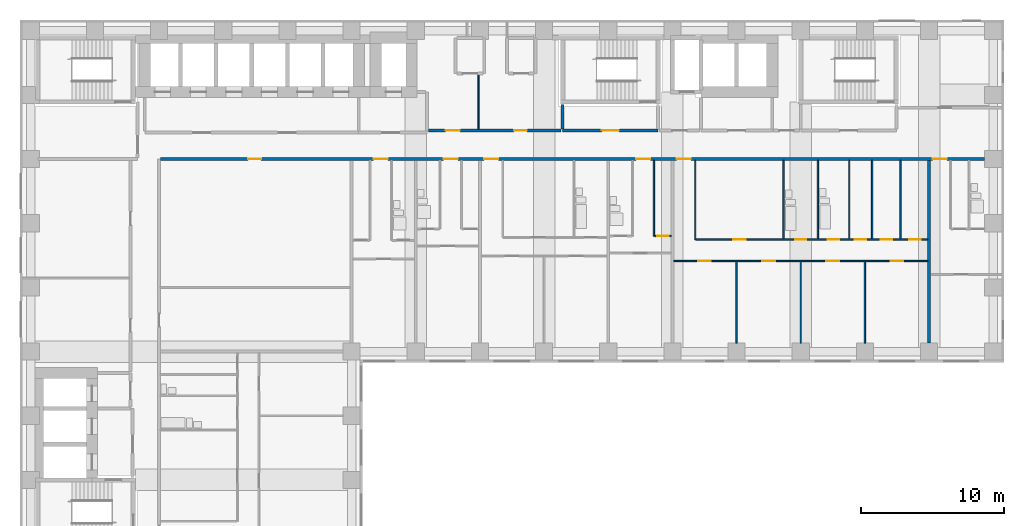
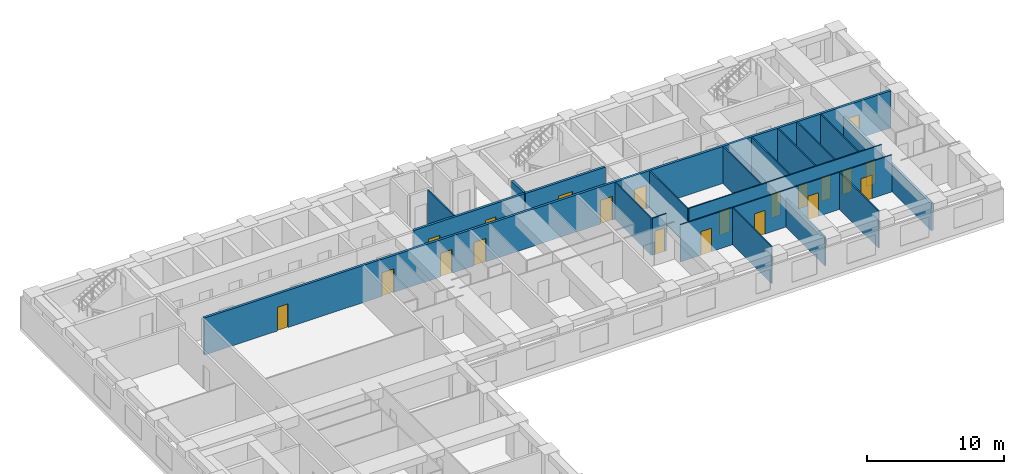
# One storey, part 7 of 12: 21 doors, 19 walls, 21 openings.
"""IFC4 building model written with IfcOpenShell, lengths in metres."""

from ifc_helpers import new_model, si_unit, direction, frame, frame_2d, origin, place, context, subcontext, project, spatial, rectangle, extrude, material, layer, layer_set, type_object, element, fill, save


model = new_model("IFC4")

# Units and contexts
model_context = context("Model", 3, precision=1e-05, world=origin(), true_north=direction((0.0, 1.0)))
body_context = subcontext(model_context, "Body", "Model", "MODEL_VIEW")
ifc_project = project(units=[si_unit("LENGTHUNIT", "METRE"), si_unit("AREAUNIT", "SQUARE_METRE"), si_unit("VOLUMEUNIT", "CUBIC_METRE"), si_unit("PLANEANGLEUNIT", "RADIAN"), si_unit("MASSUNIT", "GRAM", prefix="KILO")], contexts=[model_context])

# Site, building, storey
site_placement = place(None, origin())
site = spatial("IfcSite", under=ifc_project, at=site_placement, CompositionType="ELEMENT")
building_placement = place(site_placement, origin())
building = spatial("IfcBuilding", under=site, at=building_placement, Name="Firuza Court", CompositionType="ELEMENT")
storey_placement = place(building_placement, frame((0.0, 0.0, 43.39990234375)))
storey = spatial("IfcBuildingStorey", under=building, at=storey_placement, Name="L09", CompositionType="ELEMENT", Elevation=43.39990234375)

# Walls
ifc_material_1 = material(Name="Moisture-resistant gypsum board partition")
ifc_layer_1 = layer(ifc_material_1, 0.10009765625)
ifc_layer_set_1 = layer_set([ifc_layer_1], Name="Moisture-resistant gypsum board partition")
wall_type_1 = type_object("IfcWallType", Name="Bathroom partition 100", PredefinedType="PLUMBINGWALL", material=ifc_layer_set_1)
for number, where, z_axis, x_axis, name in (
    (1, (52.800048828125, 43.89990234375, 0.0), (0.0, 0.0, 1.0), (0.0, 1.0, 0.0), "Bathroom partition 100 L09"),
    (2, (55.199951171875, 43.89990234375, 0.0), (0.0, 0.0, 1.0), (0.0, 1.0, 0.0), "Bathroom partition 100 L09"),
    (3, (57.39990234375, 43.89990234375, 0.0), (0.0, 0.0, 1.0), (0.0, 1.0, 0.0), "Bathroom partition 100 L09"),
):
    element("IfcWall", number, at=place(storey_placement, frame(where, z_axis=z_axis, x_axis=x_axis)), inside=storey, type_object=wall_type_1, Name=name, PredefinedType="PLUMBINGWALL", context=body_context, shape_type="SweptSolid", body=[
        extrude(rectangle(XDim=5.5, YDim=0.10009765625, at=frame_2d((2.75, 0.0))), origin(), (0.0, 0.0, 1.0), 3.300048828125),
    ])

# Wall, openings, doors
ifc_material_2 = material(Name="Blockwork, plastered both sides", Category="masonry")
ifc_layer_2 = layer(ifc_material_2, 0.199951171875)
ifc_layer_set_2 = layer_set([ifc_layer_2], Name="Blockwork, plastered both sides")
wall_type_2 = type_object("IfcWallType", Name="Corridor wall 200", PredefinedType="PARTITIONING", material=ifc_layer_set_2)
wall_1_placement = place(storey_placement, frame((9.10009765625, 49.5, 0.0), z_axis=(0.0, 0.0, 1.0), x_axis=(1.0, 0.0, 0.0)))
wall_1 = element("IfcWall", 4, at=wall_1_placement, inside=storey, type_object=wall_type_2, Name="Corridor wall 200 L09", PredefinedType="PARTITIONING", context=body_context, shape_type="SweptSolid", body=[
    extrude(rectangle(XDim=57.7998046875, YDim=0.199951171875, at=frame_2d((28.89990234375, 0.0))), origin(), (0.0, 0.0, 1.0), 3.300048828125),
])
opening_1_placement = place(wall_1_placement, frame((14.949951171875, 0.0, 0.0)))
opening_1 = element("IfcOpeningElement", 5, at=opening_1_placement, cuts=wall_1, Name="Opening D09069", PredefinedType="OPENING", context=body_context, shape_type="SweptSolid", body=[
    extrude(rectangle(XDim=1.0, YDim=2.10009765625, at=frame_2d((0.5, 1.050048828125))), frame((0.0, 0.11181640625, 0.0), z_axis=(0.0, -1.0, 0.0), x_axis=(1.0, 0.0, 0.0)), (0.0, 0.0, 1.0), 0.223876953125),
])
opening_2_placement = place(wall_1_placement, frame((19.85009765625, 0.0, 0.0)))
opening_2 = element("IfcOpeningElement", 6, at=opening_2_placement, cuts=wall_1, Name="Opening D09070", PredefinedType="OPENING", context=body_context, shape_type="SweptSolid", body=[
    extrude(rectangle(XDim=1.0, YDim=2.10009765625, at=frame_2d((0.5, 1.050048828125))), frame((0.0, 0.11181640625, 0.0), z_axis=(0.0, -1.0, 0.0), x_axis=(1.0, 0.0, 0.0)), (0.0, 0.0, 1.0), 0.223876953125),
])
opening_3_placement = place(wall_1_placement, frame((22.699951171875, 0.0, 0.0)))
opening_3 = element("IfcOpeningElement", 7, at=opening_3_placement, cuts=wall_1, Name="Opening D09071", PredefinedType="OPENING", context=body_context, shape_type="SweptSolid", body=[
    extrude(rectangle(XDim=1.0, YDim=2.10009765625, at=frame_2d((0.5, 1.050048828125))), frame((0.0, 0.11181640625, 0.0), z_axis=(0.0, -1.0, 0.0), x_axis=(1.0, 0.0, 0.0)), (0.0, 0.0, 1.0), 0.223876953125),
])
opening_4_placement = place(wall_1_placement, frame((33.35009765625, 0.0, 0.0)))
opening_4 = element("IfcOpeningElement", 8, at=opening_4_placement, cuts=wall_1, Name="Opening D09072", PredefinedType="OPENING", context=body_context, shape_type="SweptSolid", body=[
    extrude(rectangle(XDim=1.0, YDim=2.10009765625, at=frame_2d((0.5, 1.050048828125))), frame((0.0, 0.11181640625, 0.0), z_axis=(0.0, -1.0, 0.0), x_axis=(1.0, 0.0, 0.0)), (0.0, 0.0, 1.0), 0.223876953125),
])
opening_5_placement = place(wall_1_placement, frame((36.199951171875, 0.0, 0.0)))
opening_5 = element("IfcOpeningElement", 9, at=opening_5_placement, cuts=wall_1, Name="Opening D09073", PredefinedType="OPENING", context=body_context, shape_type="SweptSolid", body=[
    extrude(rectangle(XDim=1.0, YDim=2.10009765625, at=frame_2d((0.5, 1.050048828125))), frame((0.0, 0.11181640625, 0.0), z_axis=(0.0, -1.0, 0.0), x_axis=(1.0, 0.0, 0.0)), (0.0, 0.0, 1.0), 0.223876953125),
])
opening_6_placement = place(wall_1_placement, frame((54.14990234375, 0.0, 0.0)))
opening_6 = element("IfcOpeningElement", 10, at=opening_6_placement, cuts=wall_1, Name="Opening D09074", PredefinedType="OPENING", context=body_context, shape_type="SweptSolid", body=[
    extrude(rectangle(XDim=1.0, YDim=2.10009765625, at=frame_2d((0.5, 1.050048828125))), frame((0.0, 0.11181640625, 0.0), z_axis=(0.0, -1.0, 0.0), x_axis=(1.0, 0.0, 0.0)), (0.0, 0.0, 1.0), 0.223876953125),
])
opening_7_placement = place(wall_1_placement, frame((6.14990234375, 0.0, 0.0)))
opening_7 = element("IfcOpeningElement", 11, at=opening_7_placement, cuts=wall_1, Name="Opening D09075", PredefinedType="OPENING", context=body_context, shape_type="SweptSolid", body=[
    extrude(rectangle(XDim=0.89990234375, YDim=2.10009765625, at=frame_2d((0.449951171875, 1.050048828125))), frame((0.0, 0.11181640625, 0.0), z_axis=(0.0, -1.0, 0.0), x_axis=(1.0, 0.0, 0.0)), (0.0, 0.0, 1.0), 0.223876953125),
])
ifc_material_3 = material(Name="Timber door leaf in hardwood frame", Category="wood")
door_type_1 = type_object("IfcDoorType", Name="Flat entrance door 1000", OperationType="SINGLE_SWING_LEFT", PredefinedType="DOOR", material=ifc_material_3)
door_1_placement = place(opening_1_placement, origin())
door_1 = element("IfcDoor", 12, at=door_1_placement, inside=storey, type_object=door_type_1, Name="Flat entrance door", OperationType="SINGLE_SWING_LEFT", OverallHeight=2.10009765625, OverallWidth=1.0, PredefinedType="DOOR", context=body_context, shape_type="SweptSolid", body=[
    extrude(rectangle(XDim=1.0, YDim=2.10009765625, at=frame_2d((0.5, 1.050048828125))), frame((0.0, 0.02490234375, 0.0), z_axis=(0.0, -1.0, 0.0), x_axis=(1.0, 0.0, 0.0)), (0.0, 0.0, 1.0), 0.050048828125),
])
fill(opening_1, door_1)
door_2_placement = place(opening_2_placement, origin())
door_2 = element("IfcDoor", 13, at=door_2_placement, inside=storey, type_object=door_type_1, Name="Flat entrance door", OperationType="SINGLE_SWING_LEFT", OverallHeight=2.10009765625, OverallWidth=1.0, PredefinedType="DOOR", context=body_context, shape_type="SweptSolid", body=[
    extrude(rectangle(XDim=1.0, YDim=2.10009765625, at=frame_2d((0.5, 1.050048828125))), frame((0.0, 0.02490234375, 0.0), z_axis=(0.0, -1.0, 0.0), x_axis=(1.0, 0.0, 0.0)), (0.0, 0.0, 1.0), 0.050048828125),
])
fill(opening_2, door_2)
door_3_placement = place(opening_3_placement, origin())
door_3 = element("IfcDoor", 14, at=door_3_placement, inside=storey, type_object=door_type_1, Name="Flat entrance door", OperationType="SINGLE_SWING_LEFT", OverallHeight=2.10009765625, OverallWidth=1.0, PredefinedType="DOOR", context=body_context, shape_type="SweptSolid", body=[
    extrude(rectangle(XDim=1.0, YDim=2.10009765625, at=frame_2d((0.5, 1.050048828125))), frame((0.0, 0.02490234375, 0.0), z_axis=(0.0, -1.0, 0.0), x_axis=(1.0, 0.0, 0.0)), (0.0, 0.0, 1.0), 0.050048828125),
])
fill(opening_3, door_3)
door_4_placement = place(opening_4_placement, origin())
door_4 = element("IfcDoor", 15, at=door_4_placement, inside=storey, type_object=door_type_1, Name="Flat entrance door", OperationType="SINGLE_SWING_LEFT", OverallHeight=2.10009765625, OverallWidth=1.0, PredefinedType="DOOR", context=body_context, shape_type="SweptSolid", body=[
    extrude(rectangle(XDim=1.0, YDim=2.10009765625, at=frame_2d((0.5, 1.050048828125))), frame((0.0, 0.02490234375, 0.0), z_axis=(0.0, -1.0, 0.0), x_axis=(1.0, 0.0, 0.0)), (0.0, 0.0, 1.0), 0.050048828125),
])
fill(opening_4, door_4)
door_5_placement = place(opening_5_placement, origin())
door_5 = element("IfcDoor", 16, at=door_5_placement, inside=storey, type_object=door_type_1, Name="Flat entrance door", OperationType="SINGLE_SWING_LEFT", OverallHeight=2.10009765625, OverallWidth=1.0, PredefinedType="DOOR", context=body_context, shape_type="SweptSolid", body=[
    extrude(rectangle(XDim=1.0, YDim=2.10009765625, at=frame_2d((0.5, 1.050048828125))), frame((0.0, 0.02490234375, 0.0), z_axis=(0.0, -1.0, 0.0), x_axis=(1.0, 0.0, 0.0)), (0.0, 0.0, 1.0), 0.050048828125),
])
fill(opening_5, door_5)
door_6_placement = place(opening_6_placement, origin())
door_6 = element("IfcDoor", 17, at=door_6_placement, inside=storey, type_object=door_type_1, Name="Flat entrance door", OperationType="SINGLE_SWING_RIGHT", OverallHeight=2.10009765625, OverallWidth=1.0, PredefinedType="DOOR", context=body_context, shape_type="SweptSolid", body=[
    extrude(rectangle(XDim=1.0, YDim=2.10009765625, at=frame_2d((0.5, 1.050048828125))), frame((0.0, 0.02490234375, 0.0), z_axis=(0.0, -1.0, 0.0), x_axis=(1.0, 0.0, 0.0)), (0.0, 0.0, 1.0), 0.050048828125),
])
fill(opening_6, door_6)
ifc_material_4 = material(Name="Timber door leaf in hardwood frame", Category="wood")
door_type_2 = type_object("IfcDoorType", Name="Room door 900 EI 30", OperationType="SINGLE_SWING_LEFT", PredefinedType="DOOR", material=ifc_material_4)
door_7_placement = place(opening_7_placement, origin())
door_7 = element("IfcDoor", 18, at=door_7_placement, inside=storey, type_object=door_type_2, Name="Cinema room door", OperationType="SINGLE_SWING_LEFT", OverallHeight=2.10009765625, OverallWidth=0.89990234375, PredefinedType="DOOR", context=body_context, shape_type="SweptSolid", body=[
    extrude(rectangle(XDim=0.89990234375, YDim=2.10009765625, at=frame_2d((0.449951171875, 1.050048828125))), frame((0.0, 0.02490234375, 0.0), z_axis=(0.0, -1.0, 0.0), x_axis=(1.0, 0.0, 0.0)), (0.0, 0.0, 1.0), 0.050048828125),
])
fill(opening_7, door_7)

wall_2_placement = place(storey_placement, frame((27.89990234375, 51.5, 0.0), z_axis=(0.0, 0.0, 1.0), x_axis=(1.0, 0.0, 0.0)))
wall_2 = element("IfcWall", 19, at=wall_2_placement, inside=storey, type_object=wall_type_2, Name="Corridor wall 200 L09", PredefinedType="PARTITIONING", context=body_context, shape_type="SweptSolid", body=[
    extrude(rectangle(XDim=9.300048828125, YDim=0.199951171875, at=frame_2d((4.64990234375, 0.0))), origin(), (0.0, 0.0, 1.0), 3.300048828125),
])
opening_8_placement = place(wall_2_placement, frame((1.199951171875, 0.0, 0.0)))
opening_8 = element("IfcOpeningElement", 20, at=opening_8_placement, cuts=wall_2, Name="Opening D09076", PredefinedType="OPENING", context=body_context, shape_type="SweptSolid", body=[
    extrude(rectangle(XDim=1.0, YDim=2.10009765625, at=frame_2d((0.5, 1.050048828125))), frame((0.0, 0.11181640625, 0.0), z_axis=(0.0, -1.0, 0.0), x_axis=(1.0, 0.0, 0.0)), (0.0, 0.0, 1.0), 0.223876953125),
])
opening_9_placement = place(wall_2_placement, frame((6.0, 0.0, 0.0)))
opening_9 = element("IfcOpeningElement", 21, at=opening_9_placement, cuts=wall_2, Name="Opening D09077", PredefinedType="OPENING", context=body_context, shape_type="SweptSolid", body=[
    extrude(rectangle(XDim=0.89990234375, YDim=2.10009765625, at=frame_2d((0.449951171875, 1.050048828125))), frame((0.0, 0.11181640625, 0.0), z_axis=(0.0, -1.0, 0.0), x_axis=(1.0, 0.0, 0.0)), (0.0, 0.0, 1.0), 0.223876953125),
])
door_8_placement = place(opening_9_placement, origin())
door_8 = element("IfcDoor", 22, at=door_8_placement, inside=storey, type_object=door_type_2, Name="Concierge room door", OperationType="SINGLE_SWING_LEFT", OverallHeight=2.10009765625, OverallWidth=0.89990234375, PredefinedType="DOOR", context=body_context, shape_type="SweptSolid", body=[
    extrude(rectangle(XDim=0.89990234375, YDim=2.10009765625, at=frame_2d((0.449951171875, 1.050048828125))), frame((0.0, 0.02490234375, 0.0), z_axis=(0.0, -1.0, 0.0), x_axis=(1.0, 0.0, 0.0)), (0.0, 0.0, 1.0), 0.050048828125),
])
fill(opening_9, door_8)
ifc_material_5 = material(Name="Timber door leaf in hardwood frame", Category="wood")
door_type_3 = type_object("IfcDoorType", Name="Store door 1000", OperationType="SINGLE_SWING_LEFT", PredefinedType="DOOR", material=ifc_material_5)
door_9_placement = place(opening_8_placement, origin())
door_9 = element("IfcDoor", 23, at=door_9_placement, inside=storey, type_object=door_type_3, Name="Cleaner's store door", OperationType="SINGLE_SWING_LEFT", OverallHeight=2.10009765625, OverallWidth=1.0, PredefinedType="DOOR", context=body_context, shape_type="SweptSolid", body=[
    extrude(rectangle(XDim=1.0, YDim=2.10009765625, at=frame_2d((0.5, 1.050048828125))), frame((0.0, 0.02490234375, 0.0), z_axis=(0.0, -1.0, 0.0), x_axis=(1.0, 0.0, 0.0)), (0.0, 0.0, 1.0), 0.050048828125),
])
fill(opening_8, door_9)

# Walls
ifc_material_6 = material(Name="Timber stud partition, plasterboard both sides", Category="wood")
ifc_layer_3 = layer(ifc_material_6, 0.10009765625)
ifc_layer_set_3 = layer_set([ifc_layer_3], Name="Timber stud partition, plasterboard both sides")
wall_type_3 = type_object("IfcWallType", Name="Partition wall 100", PredefinedType="PARTITIONING", material=ifc_layer_set_3)
wall_3_placement = place(storey_placement, frame((49.5, 36.60009765625, 0.0), z_axis=(0.0, 0.0, 1.0), x_axis=(0.0, 1.0, 0.0)))
element("IfcWall", 24, at=wall_3_placement, inside=storey, type_object=wall_type_3, Name="Partition wall 100 L09", PredefinedType="PARTITIONING", context=body_context, shape_type="SweptSolid", body=[
    extrude(rectangle(XDim=5.699951171875, YDim=0.10009765625, at=frame_2d((2.85009765625, 0.0))), origin(), (0.0, 0.0, 1.0), 3.300048828125),
])
wall_4_placement = place(storey_placement, frame((54.0, 36.60009765625, 0.0), z_axis=(0.0, 0.0, 1.0), x_axis=(0.0, 1.0, 0.0)))
element("IfcWall", 25, at=wall_4_placement, inside=storey, type_object=wall_type_3, Name="Partition wall 100 L09", PredefinedType="PARTITIONING", context=body_context, shape_type="SweptSolid", body=[
    extrude(rectangle(XDim=5.699951171875, YDim=0.10009765625, at=frame_2d((2.85009765625, 0.0))), origin(), (0.0, 0.0, 1.0), 2.60009765625),
])
wall_5_placement = place(storey_placement, frame((58.5, 36.60009765625, 0.0), z_axis=(0.0, 0.0, 1.0), x_axis=(0.0, 1.0, 0.0)))
element("IfcWall", 26, at=wall_5_placement, inside=storey, type_object=wall_type_3, Name="Partition wall 100 L09", PredefinedType="PARTITIONING", context=body_context, shape_type="SweptSolid", body=[
    extrude(rectangle(XDim=5.699951171875, YDim=0.10009765625, at=frame_2d((2.85009765625, 0.0))), origin(), (0.0, 0.0, 1.0), 3.300048828125),
])

# Wall, openings, doors
wall_6_placement = place(storey_placement, frame((45.10009765625, 42.35009765625, 0.0), z_axis=(0.0, 0.0, 1.0), x_axis=(1.0, 0.0, 0.0)))
wall_6 = element("IfcWall", 27, at=wall_6_placement, inside=storey, type_object=wall_type_3, Name="Partition wall 100 L09", PredefinedType="PARTITIONING", context=body_context, shape_type="SweptSolid", body=[
    extrude(rectangle(XDim=17.7998046875, YDim=0.10009765625, at=frame_2d((8.89990234375, 0.0))), origin(), (0.0, 0.0, 1.0), 3.300048828125),
])
opening_10_placement = place(wall_6_placement, frame((1.699951171875, 0.0, 0.0)))
opening_10 = element("IfcOpeningElement", 28, at=opening_10_placement, cuts=wall_6, Name="Opening D09044", PredefinedType="OPENING", context=body_context, shape_type="SweptSolid", body=[
    extrude(rectangle(XDim=0.89990234375, YDim=2.10009765625, at=frame_2d((0.449951171875, 1.050048828125))), frame((0.0, 0.06201171875, 0.0), z_axis=(0.0, -1.0, 0.0), x_axis=(1.0, 0.0, 0.0)), (0.0, 0.0, 1.0), 0.1240234375),
])
opening_11_placement = place(wall_6_placement, frame((6.199951171875, 0.0, 0.0)))
opening_11 = element("IfcOpeningElement", 29, at=opening_11_placement, cuts=wall_6, Name="Opening D09045", PredefinedType="OPENING", context=body_context, shape_type="SweptSolid", body=[
    extrude(rectangle(XDim=0.89990234375, YDim=2.10009765625, at=frame_2d((0.449951171875, 1.050048828125))), frame((0.0, 0.06201171875, 0.0), z_axis=(0.0, -1.0, 0.0), x_axis=(1.0, 0.0, 0.0)), (0.0, 0.0, 1.0), 0.1240234375),
])
opening_12_placement = place(wall_6_placement, frame((10.699951171875, 0.0, 0.0)))
opening_12 = element("IfcOpeningElement", 30, at=opening_12_placement, cuts=wall_6, Name="Opening D09046", PredefinedType="OPENING", context=body_context, shape_type="SweptSolid", body=[
    extrude(rectangle(XDim=0.89990234375, YDim=2.10009765625, at=frame_2d((0.449951171875, 1.050048828125))), frame((0.0, 0.06201171875, 0.0), z_axis=(0.0, -1.0, 0.0), x_axis=(1.0, 0.0, 0.0)), (0.0, 0.0, 1.0), 0.1240234375),
])
opening_13_placement = place(wall_6_placement, frame((15.199951171875, 0.0, 0.0)))
opening_13 = element("IfcOpeningElement", 31, at=opening_13_placement, cuts=wall_6, Name="Opening D09047", PredefinedType="OPENING", context=body_context, shape_type="SweptSolid", body=[
    extrude(rectangle(XDim=0.89990234375, YDim=2.10009765625, at=frame_2d((0.449951171875, 1.050048828125))), frame((0.0, 0.06201171875, 0.0), z_axis=(0.0, -1.0, 0.0), x_axis=(1.0, 0.0, 0.0)), (0.0, 0.0, 1.0), 0.1240234375),
])
ifc_material_7 = material(Name="Timber door leaf in hardwood frame", Category="wood")
door_type_4 = type_object("IfcDoorType", Name="Room door 900", OperationType="SINGLE_SWING_LEFT", PredefinedType="DOOR", material=ifc_material_7)
door_10_placement = place(opening_10_placement, frame((0.89990234375, 0.0, 0.0), z_axis=(0.0, 0.0, 1.0), x_axis=(-1.0, 0.0, 0.0)))
door_10 = element("IfcDoor", 32, at=door_10_placement, inside=storey, type_object=door_type_4, Name="Living room door", OperationType="SINGLE_SWING_RIGHT", OverallHeight=2.10009765625, OverallWidth=0.89990234375, PredefinedType="DOOR", context=body_context, shape_type="SweptSolid", body=[
    extrude(rectangle(XDim=0.89990234375, YDim=2.10009765625, at=frame_2d((0.449951171875, 1.050048828125))), frame((0.0, 0.02490234375, 0.0), z_axis=(0.0, -1.0, 0.0), x_axis=(1.0, 0.0, 0.0)), (0.0, 0.0, 1.0), 0.050048828125),
])
fill(opening_10, door_10)
door_11_placement = place(opening_11_placement, frame((0.89990234375, 0.0, 0.0), z_axis=(0.0, 0.0, 1.0), x_axis=(-1.0, 0.0, 0.0)))
door_11 = element("IfcDoor", 33, at=door_11_placement, inside=storey, type_object=door_type_4, Name="Bedroom door", OperationType="SINGLE_SWING_RIGHT", OverallHeight=2.10009765625, OverallWidth=0.89990234375, PredefinedType="DOOR", context=body_context, shape_type="SweptSolid", body=[
    extrude(rectangle(XDim=0.89990234375, YDim=2.10009765625, at=frame_2d((0.449951171875, 1.050048828125))), frame((0.0, 0.02490234375, 0.0), z_axis=(0.0, -1.0, 0.0), x_axis=(1.0, 0.0, 0.0)), (0.0, 0.0, 1.0), 0.050048828125),
])
fill(opening_11, door_11)
door_12_placement = place(opening_12_placement, frame((0.89990234375, 0.0, 0.0), z_axis=(0.0, 0.0, 1.0), x_axis=(-1.0, 0.0, 0.0)))
door_12 = element("IfcDoor", 34, at=door_12_placement, inside=storey, type_object=door_type_4, Name="Bedroom door", OperationType="SINGLE_SWING_RIGHT", OverallHeight=2.10009765625, OverallWidth=0.89990234375, PredefinedType="DOOR", context=body_context, shape_type="SweptSolid", body=[
    extrude(rectangle(XDim=0.89990234375, YDim=2.10009765625, at=frame_2d((0.449951171875, 1.050048828125))), frame((0.0, 0.02490234375, 0.0), z_axis=(0.0, -1.0, 0.0), x_axis=(1.0, 0.0, 0.0)), (0.0, 0.0, 1.0), 0.050048828125),
])
fill(opening_12, door_12)
door_13_placement = place(opening_13_placement, frame((0.89990234375, 0.0, 0.0), z_axis=(0.0, 0.0, 1.0), x_axis=(-1.0, 0.0, 0.0)))
door_13 = element("IfcDoor", 35, at=door_13_placement, inside=storey, type_object=door_type_4, Name="Bedroom door", OperationType="SINGLE_SWING_RIGHT", OverallHeight=2.10009765625, OverallWidth=0.89990234375, PredefinedType="DOOR", context=body_context, shape_type="SweptSolid", body=[
    extrude(rectangle(XDim=0.89990234375, YDim=2.10009765625, at=frame_2d((0.449951171875, 1.050048828125))), frame((0.0, 0.02490234375, 0.0), z_axis=(0.0, -1.0, 0.0), x_axis=(1.0, 0.0, 0.0)), (0.0, 0.0, 1.0), 0.050048828125),
])
fill(opening_13, door_13)

# Wall
wall_7_placement = place(storey_placement, frame((46.60009765625, 43.85009765625, 0.0), z_axis=(0.0, 0.0, 1.0), x_axis=(0.0, 1.0, 0.0)))
element("IfcWall", 36, at=wall_7_placement, inside=storey, type_object=wall_type_3, Name="Partition wall 100 L09", PredefinedType="PARTITIONING", context=body_context, shape_type="SweptSolid", body=[
    extrude(rectangle(XDim=5.5498046875, YDim=0.10009765625, at=frame_2d((2.77490234375, 0.0))), origin(), (0.0, 0.0, 1.0), 3.300048828125),
])

# Wall, openings, doors
wall_8_placement = place(storey_placement, frame((46.64990234375, 43.85009765625, 0.0), z_axis=(0.0, 0.0, 1.0), x_axis=(1.0, 0.0, 0.0)))
wall_8 = element("IfcWall", 37, at=wall_8_placement, inside=storey, type_object=wall_type_3, Name="Partition wall 100 L09", PredefinedType="PARTITIONING", context=body_context, shape_type="SweptSolid", body=[
    extrude(rectangle(XDim=16.25, YDim=0.10009765625, at=frame_2d((8.125, 0.0))), origin(), (0.0, 0.0, 1.0), 3.300048828125),
])
opening_14_placement = place(wall_8_placement, frame((6.949951171875, 0.0, 0.0)))
opening_14 = element("IfcOpeningElement", 38, at=opening_14_placement, cuts=wall_8, Name="Opening D09055", PredefinedType="OPENING", context=body_context, shape_type="SweptSolid", body=[
    extrude(rectangle(XDim=0.800048828125, YDim=2.10009765625, at=frame_2d((0.39990234375, 1.050048828125))), frame((0.0, 0.06201171875, 0.0), z_axis=(0.0, -1.0, 0.0), x_axis=(1.0, 0.0, 0.0)), (0.0, 0.0, 1.0), 0.1240234375),
])
opening_15_placement = place(wall_8_placement, frame((9.25, 0.0, 0.0)))
opening_15 = element("IfcOpeningElement", 39, at=opening_15_placement, cuts=wall_8, Name="Opening D09056", PredefinedType="OPENING", context=body_context, shape_type="SweptSolid", body=[
    extrude(rectangle(XDim=0.800048828125, YDim=2.10009765625, at=frame_2d((0.39990234375, 1.050048828125))), frame((0.0, 0.06201171875, 0.0), z_axis=(0.0, -1.0, 0.0), x_axis=(1.0, 0.0, 0.0)), (0.0, 0.0, 1.0), 0.1240234375),
])
opening_16_placement = place(wall_8_placement, frame((2.60009765625, 0.0, 0.0)))
opening_16 = element("IfcOpeningElement", 40, at=opening_16_placement, cuts=wall_8, Name="Opening D09057", PredefinedType="OPENING", context=body_context, shape_type="SweptSolid", body=[
    extrude(rectangle(XDim=0.89990234375, YDim=2.10009765625, at=frame_2d((0.449951171875, 1.050048828125))), frame((0.0, 0.06201171875, 0.0), z_axis=(0.0, -1.0, 0.0), x_axis=(1.0, 0.0, 0.0)), (0.0, 0.0, 1.0), 0.1240234375),
])
opening_17_placement = place(wall_8_placement, frame((14.949951171875, 0.0, 0.0)))
opening_17 = element("IfcOpeningElement", 41, at=opening_17_placement, cuts=wall_8, Name="Opening D09058", PredefinedType="OPENING", context=body_context, shape_type="SweptSolid", body=[
    extrude(rectangle(XDim=0.800048828125, YDim=2.10009765625, at=frame_2d((0.39990234375, 1.050048828125))), frame((0.0, 0.06201171875, 0.0), z_axis=(0.0, -1.0, 0.0), x_axis=(1.0, 0.0, 0.0)), (0.0, 0.0, 1.0), 0.1240234375),
])
opening_18_placement = place(wall_8_placement, frame((11.14990234375, 0.0, 0.0)))
opening_18 = element("IfcOpeningElement", 42, at=opening_18_placement, cuts=wall_8, Name="Opening D09059", PredefinedType="OPENING", context=body_context, shape_type="SweptSolid", body=[
    extrude(rectangle(XDim=0.800048828125, YDim=2.10009765625, at=frame_2d((0.39990234375, 1.050048828125))), frame((0.0, 0.06201171875, 0.0), z_axis=(0.0, -1.0, 0.0), x_axis=(1.0, 0.0, 0.0)), (0.0, 0.0, 1.0), 0.1240234375),
])
opening_19_placement = place(wall_8_placement, frame((12.949951171875, 0.0, 0.0)))
opening_19 = element("IfcOpeningElement", 43, at=opening_19_placement, cuts=wall_8, Name="Opening D09060", PredefinedType="OPENING", context=body_context, shape_type="SweptSolid", body=[
    extrude(rectangle(XDim=0.800048828125, YDim=2.10009765625, at=frame_2d((0.39990234375, 1.050048828125))), frame((0.0, 0.06201171875, 0.0), z_axis=(0.0, -1.0, 0.0), x_axis=(1.0, 0.0, 0.0)), (0.0, 0.0, 1.0), 0.1240234375),
])
ifc_material_8 = material(Name="Timber door leaf in hardwood frame", Category="wood")
door_type_5 = type_object("IfcDoorType", Name="Bathroom door 800", OperationType="SINGLE_SWING_LEFT", PredefinedType="DOOR", material=ifc_material_8)
door_14_placement = place(opening_14_placement, origin())
door_14 = element("IfcDoor", 44, at=door_14_placement, inside=storey, type_object=door_type_5, Name="Bathroom door", OperationType="SINGLE_SWING_LEFT", OverallHeight=2.10009765625, OverallWidth=0.800048828125, PredefinedType="DOOR", context=body_context, shape_type="SweptSolid", body=[
    extrude(rectangle(XDim=0.800048828125, YDim=2.10009765625, at=frame_2d((0.39990234375, 1.050048828125))), frame((0.0, 0.02490234375, 0.0), z_axis=(0.0, -1.0, 0.0), x_axis=(1.0, 0.0, 0.0)), (0.0, 0.0, 1.0), 0.050048828125),
])
fill(opening_14, door_14)
door_15_placement = place(opening_15_placement, origin())
door_15 = element("IfcDoor", 45, at=door_15_placement, inside=storey, type_object=door_type_5, Name="Bathroom 2 door", OperationType="SINGLE_SWING_LEFT", OverallHeight=2.10009765625, OverallWidth=0.800048828125, PredefinedType="DOOR", context=body_context, shape_type="SweptSolid", body=[
    extrude(rectangle(XDim=0.800048828125, YDim=2.10009765625, at=frame_2d((0.39990234375, 1.050048828125))), frame((0.0, 0.02490234375, 0.0), z_axis=(0.0, -1.0, 0.0), x_axis=(1.0, 0.0, 0.0)), (0.0, 0.0, 1.0), 0.050048828125),
])
fill(opening_15, door_15)
ifc_material_9 = material(Name="Timber door leaf in hardwood frame", Category="wood")
door_type_6 = type_object("IfcDoorType", Name="Room door 800", OperationType="SINGLE_SWING_LEFT", PredefinedType="DOOR", material=ifc_material_9)
door_16_placement = place(opening_17_placement, origin())
door_16 = element("IfcDoor", 46, at=door_16_placement, inside=storey, type_object=door_type_6, Name="Pantry door", OperationType="SINGLE_SWING_LEFT", OverallHeight=2.10009765625, OverallWidth=0.800048828125, PredefinedType="DOOR", context=body_context, shape_type="SweptSolid", body=[
    extrude(rectangle(XDim=0.800048828125, YDim=2.10009765625, at=frame_2d((0.39990234375, 1.050048828125))), frame((0.0, 0.02490234375, 0.0), z_axis=(0.0, -1.0, 0.0), x_axis=(1.0, 0.0, 0.0)), (0.0, 0.0, 1.0), 0.050048828125),
])
fill(opening_17, door_16)
door_17_placement = place(opening_18_placement, origin())
door_17 = element("IfcDoor", 47, at=door_17_placement, inside=storey, type_object=door_type_6, Name="Store door", OperationType="SINGLE_SWING_LEFT", OverallHeight=2.10009765625, OverallWidth=0.800048828125, PredefinedType="DOOR", context=body_context, shape_type="SweptSolid", body=[
    extrude(rectangle(XDim=0.800048828125, YDim=2.10009765625, at=frame_2d((0.39990234375, 1.050048828125))), frame((0.0, 0.02490234375, 0.0), z_axis=(0.0, -1.0, 0.0), x_axis=(1.0, 0.0, 0.0)), (0.0, 0.0, 1.0), 0.050048828125),
])
fill(opening_18, door_17)
door_18_placement = place(opening_19_placement, origin())
door_18 = element("IfcDoor", 48, at=door_18_placement, inside=storey, type_object=door_type_6, Name="Utility room door", OperationType="SINGLE_SWING_LEFT", OverallHeight=2.10009765625, OverallWidth=0.800048828125, PredefinedType="DOOR", context=body_context, shape_type="SweptSolid", body=[
    extrude(rectangle(XDim=0.800048828125, YDim=2.10009765625, at=frame_2d((0.39990234375, 1.050048828125))), frame((0.0, 0.02490234375, 0.0), z_axis=(0.0, -1.0, 0.0), x_axis=(1.0, 0.0, 0.0)), (0.0, 0.0, 1.0), 0.050048828125),
])
fill(opening_19, door_18)
door_19_placement = place(opening_16_placement, origin())
door_19 = element("IfcDoor", 49, at=door_19_placement, inside=storey, type_object=door_type_4, Name="Kitchen door", OperationType="SINGLE_SWING_LEFT", OverallHeight=2.10009765625, OverallWidth=0.89990234375, PredefinedType="DOOR", context=body_context, shape_type="SweptSolid", body=[
    extrude(rectangle(XDim=0.89990234375, YDim=2.10009765625, at=frame_2d((0.449951171875, 1.050048828125))), frame((0.0, 0.02490234375, 0.0), z_axis=(0.0, -1.0, 0.0), x_axis=(1.0, 0.0, 0.0)), (0.0, 0.0, 1.0), 0.050048828125),
])
fill(opening_16, door_19)

# Walls
for number, where, z_axis, x_axis, name in (
    (50, (59.0, 43.89990234375, 0.0), (0.0, 0.0, 1.0), (0.0, 1.0, 0.0), "Partition wall 100 L09"),
    (51, (61.0, 43.89990234375, 0.0), (0.0, 0.0, 1.0), (0.0, 1.0, 0.0), "Partition wall 100 L09"),
):
    element("IfcWall", number, at=place(storey_placement, frame(where, z_axis=z_axis, x_axis=x_axis)), inside=storey, type_object=wall_type_3, Name=name, PredefinedType="PARTITIONING", context=body_context, shape_type="SweptSolid", body=[
        extrude(rectangle(XDim=5.5, YDim=0.10009765625, at=frame_2d((2.75, 0.0))), origin(), (0.0, 0.0, 1.0), 3.300048828125),
    ])
wall_9_placement = place(storey_placement, frame((43.699951171875, 44.10009765625, 0.0), z_axis=(0.0, 0.0, 1.0), x_axis=(0.0, 1.0, 0.0)))
element("IfcWall", 52, at=wall_9_placement, inside=storey, type_object=wall_type_3, Name="Partition wall 100 L09", PredefinedType="PARTITIONING", context=body_context, shape_type="SweptSolid", body=[
    extrude(rectangle(XDim=5.2998046875, YDim=0.10009765625, at=frame_2d((2.64990234375, 0.0))), origin(), (0.0, 0.0, 1.0), 3.300048828125),
])

# Wall, opening, door
wall_10_placement = place(storey_placement, frame((43.75, 44.10009765625, 0.0), z_axis=(0.0, 0.0, 1.0), x_axis=(1.0, 0.0, 0.0)))
wall_10 = element("IfcWall", 53, at=wall_10_placement, inside=storey, type_object=wall_type_3, Name="Partition wall 100 L09", PredefinedType="PARTITIONING", context=body_context, shape_type="SweptSolid", body=[
    extrude(rectangle(XDim=1.14990234375, YDim=0.10009765625, at=frame_2d((0.574951171875, 0.0))), origin(), (0.0, 0.0, 1.0), 3.300048828125),
])
opening_20_placement = place(wall_10_placement, frame((0.199951171875, 0.0, 0.0)))
opening_20 = element("IfcOpeningElement", 54, at=opening_20_placement, cuts=wall_10, Name="Opening D09064", PredefinedType="OPENING", context=body_context, shape_type="SweptSolid", body=[
    extrude(rectangle(XDim=0.800048828125, YDim=2.10009765625, at=frame_2d((0.39990234375, 1.050048828125))), frame((0.0, 0.06201171875, 0.0), z_axis=(0.0, -1.0, 0.0), x_axis=(1.0, 0.0, 0.0)), (0.0, 0.0, 1.0), 0.1240234375),
])
door_20_placement = place(opening_20_placement, origin())
door_20 = element("IfcDoor", 55, at=door_20_placement, inside=storey, type_object=door_type_6, Name="Kitchen door", OperationType="SINGLE_SWING_LEFT", OverallHeight=2.10009765625, OverallWidth=0.800048828125, PredefinedType="DOOR", context=body_context, shape_type="SweptSolid", body=[
    extrude(rectangle(XDim=0.800048828125, YDim=2.10009765625, at=frame_2d((0.39990234375, 1.050048828125))), frame((0.0, 0.02490234375, 0.0), z_axis=(0.0, -1.0, 0.0), x_axis=(1.0, 0.0, 0.0)), (0.0, 0.0, 1.0), 0.050048828125),
])
fill(opening_20, door_20)

# Walls
wall_11_placement = place(storey_placement, frame((31.39990234375, 51.60009765625, 0.0), z_axis=(0.0, 0.0, 1.0), x_axis=(0.0, 1.0, 0.0)))
element("IfcWall", 56, at=wall_11_placement, inside=storey, type_object=wall_type_3, Name="Partition wall 100 L09", PredefinedType="PARTITIONING", context=body_context, shape_type="SweptSolid", body=[
    extrude(rectangle(XDim=3.7998046875, YDim=0.10009765625, at=frame_2d((1.89990234375, 0.0))), origin(), (0.0, 0.0, 1.0), 3.300048828125),
])
ifc_layer_4 = layer(ifc_material_2, 0.199951171875)
ifc_layer_set_4 = layer_set([ifc_layer_4], Name="Blockwork, plastered both sides")
wall_type_4 = type_object("IfcWallType", Name="Party wall 200", PredefinedType="PARTITIONING", material=ifc_layer_set_4)
wall_12_placement = place(storey_placement, frame((63.0, 36.60009765625, 0.0), z_axis=(0.0, 0.0, 1.0), x_axis=(0.0, 1.0, 0.0)))
element("IfcWall", 57, at=wall_12_placement, inside=storey, type_object=wall_type_4, Name="Party wall 200 L09", PredefinedType="PARTITIONING", context=body_context, shape_type="SweptSolid", body=[
    extrude(rectangle(XDim=12.7998046875, YDim=0.199951171875, at=frame_2d((6.39990234375, 0.0))), origin(), (0.0, 0.0, 1.0), 2.400146484375),
])

# Wall, opening, door
ifc_material_10 = material(Name="Blockwork, fire-rated", Category="masonry")
ifc_layer_5 = layer(ifc_material_10, 0.199951171875)
ifc_layer_set_5 = layer_set([ifc_layer_5], Name="Blockwork, fire-rated")
wall_type_5 = type_object("IfcWallType", Name="Shaft wall 200", PredefinedType="PARTITIONING", material=ifc_layer_set_5)
wall_13_placement = place(storey_placement, frame((37.300048828125, 51.5, 0.0), z_axis=(0.0, 0.0, 1.0), x_axis=(1.0, 0.0, 0.0)))
wall_13 = element("IfcWall", 58, at=wall_13_placement, inside=storey, type_object=wall_type_5, Name="Shaft wall 200 L09", PredefinedType="PARTITIONING", context=body_context, shape_type="SweptSolid", body=[
    extrude(rectangle(XDim=6.699951171875, YDim=0.199951171875, at=frame_2d((3.35009765625, 0.0))), origin(), (0.0, 0.0, 1.0), 3.300048828125),
])
opening_21_placement = place(wall_13_placement, frame((2.75, 0.0, 0.0)))
opening_21 = element("IfcOpeningElement", 59, at=opening_21_placement, cuts=wall_13, Name="Opening D09006", PredefinedType="OPENING", context=body_context, shape_type="SweptSolid", body=[
    extrude(rectangle(XDim=1.199951171875, YDim=2.10009765625, at=frame_2d((0.60009765625, 1.050048828125))), frame((0.0, 0.11181640625, 0.0), z_axis=(0.0, -1.0, 0.0), x_axis=(1.0, 0.0, 0.0)), (0.0, 0.0, 1.0), 0.223876953125),
])
ifc_material_11 = material(Name="Timber door leaf in hardwood frame", Category="wood")
door_type_7 = type_object("IfcDoorType", Name="Lobby door 1200", OperationType="SINGLE_SWING_LEFT", PredefinedType="DOOR", material=ifc_material_11)
door_21_placement = place(opening_21_placement, origin())
door_21 = element("IfcDoor", 60, at=door_21_placement, inside=storey, type_object=door_type_7, Name="Lobby door", OperationType="SINGLE_SWING_LEFT", OverallHeight=2.10009765625, OverallWidth=1.199951171875, PredefinedType="DOOR", context=body_context, shape_type="SweptSolid", body=[
    extrude(rectangle(XDim=1.199951171875, YDim=2.10009765625, at=frame_2d((0.60009765625, 1.050048828125))), frame((0.0, 0.02490234375, 0.0), z_axis=(0.0, -1.0, 0.0), x_axis=(1.0, 0.0, 0.0)), (0.0, 0.0, 1.0), 0.050048828125),
])
fill(opening_21, door_21)

# Wall
wall_14_placement = place(storey_placement, frame((37.300048828125, 51.60009765625, 0.0), z_axis=(0.0, 0.0, 1.0), x_axis=(0.0, 1.0, 0.0)))
element("IfcWall", 61, at=wall_14_placement, inside=storey, type_object=wall_type_5, Name="Shaft wall 200 L09", PredefinedType="PARTITIONING", context=body_context, shape_type="SweptSolid", body=[
    extrude(rectangle(XDim=1.72998046875, YDim=0.199951171875, at=frame_2d((0.864990234375, 0.0))), origin(), (0.0, 0.0, 1.0), 3.300048828125),
])

save(model, "model.ifc")
